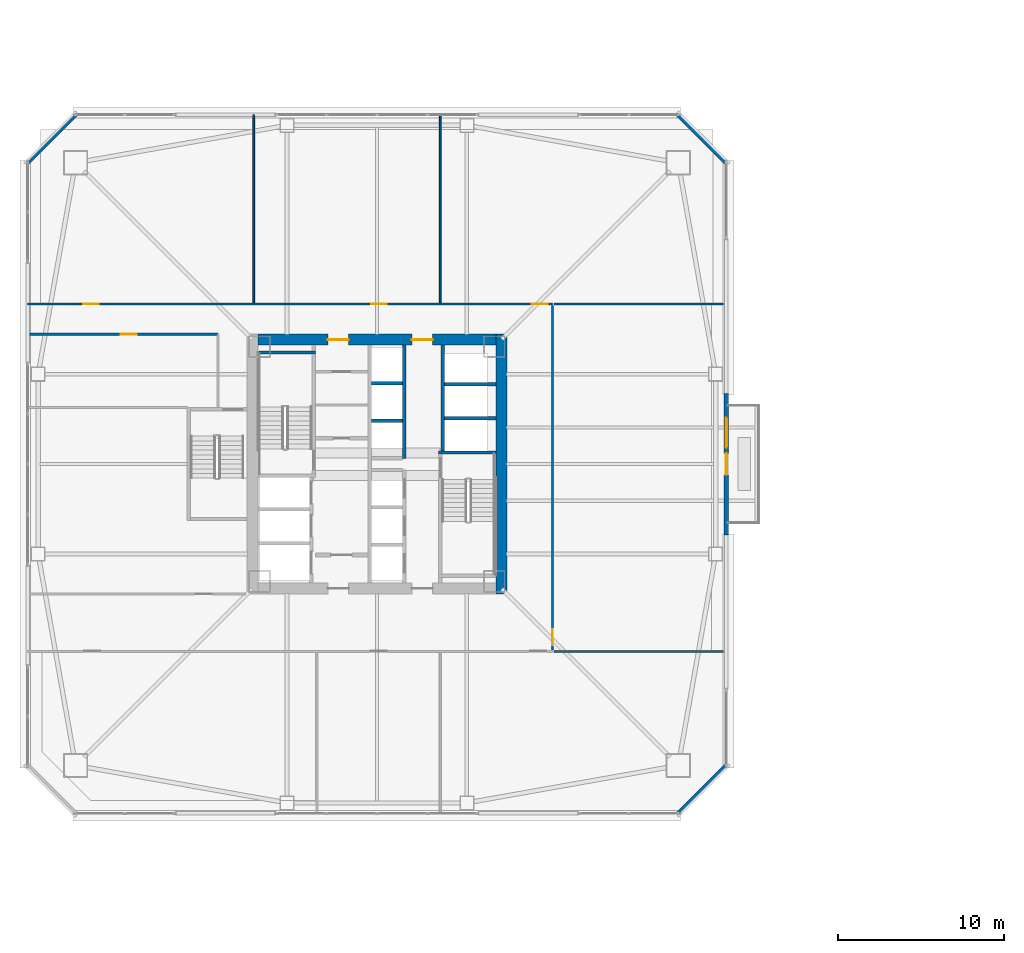
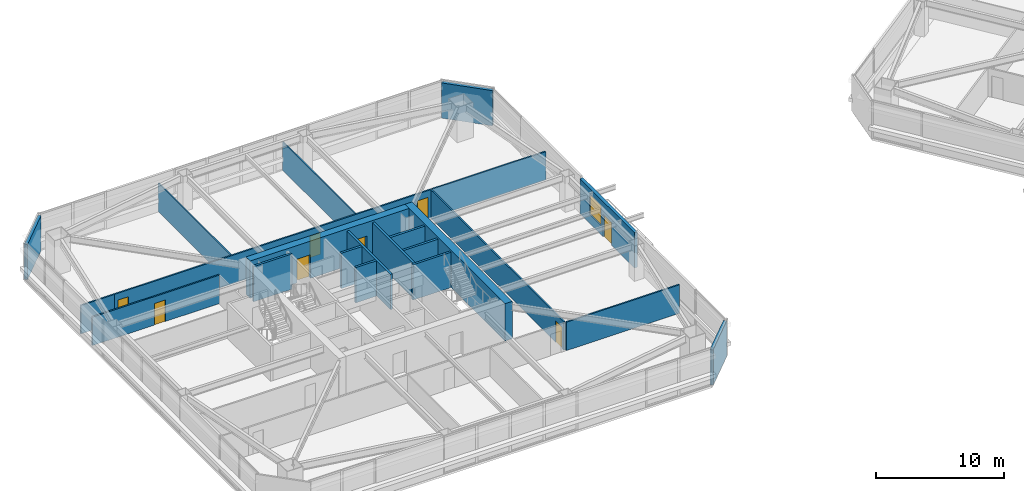
# One storey, part 34 of 44: 22 walls, 8 doors, 1 window, 9 openings.
"""IFC4 building model written with IfcOpenShell, lengths in metres."""

from ifc_helpers import new_model, si_unit, direction, frame, frame_2d, origin, place, context, subcontext, project, spatial, rectangle, extrude, material, layer, layer_set, type_object, element, fill, save


model = new_model("IFC4")

# Units and contexts
model_context = context("Model", 3, precision=1e-05, world=origin(), true_north=direction((0.0, 1.0)))
body_context = subcontext(model_context, "Body", "Model", "MODEL_VIEW")
ifc_project = project(units=[si_unit("LENGTHUNIT", "METRE"), si_unit("AREAUNIT", "SQUARE_METRE"), si_unit("VOLUMEUNIT", "CUBIC_METRE"), si_unit("PLANEANGLEUNIT", "RADIAN"), si_unit("MASSUNIT", "GRAM", prefix="KILO")], contexts=[model_context])

# Site, building, storey
site_placement = place(None, origin())
site = spatial("IfcSite", under=ifc_project, at=site_placement, CompositionType="ELEMENT")
building_placement = place(site_placement, origin())
building = spatial("IfcBuilding", under=site, at=building_placement, Name="Tashvorn Skyway Center", CompositionType="ELEMENT")
storey_placement = place(building_placement, frame((0.0, 0.0, 84.949951171875)))
storey = spatial("IfcBuildingStorey", under=building, at=storey_placement, Name="L22", CompositionType="ELEMENT", Elevation=84.949951171875)

# Wall
ifc_material_1 = material(Name="Concrete C60/75", Category="concrete")
ifc_layer_1 = layer(ifc_material_1, 0.64990234375)
ifc_layer_set_1 = layer_set([ifc_layer_1], Name="Concrete C60/75")
wall_type_1 = type_object("IfcWallType", Name="WALL-CORE-650", PredefinedType="SHEAR", material=ifc_layer_set_1)
wall_1_placement = place(storey_placement, frame((49.47509765625, 39.800048828125, 0.0), z_axis=(0.0, 0.0, 1.0), x_axis=(0.0, -1.0, 0.0)))
element("IfcWall", 1, at=wall_1_placement, inside=storey, type_object=wall_type_1, Name="Tower 1 L22 East Core Shear Wall", PredefinedType="SHEAR", context=body_context, shape_type="SweptSolid", body=[
    extrude(rectangle(XDim=15.60009765625, YDim=0.64990234375, at=frame_2d((7.800048828125, 0.0))), origin(), (0.0, 0.0, 1.0), 3.550048828125),
])

# Wall, openings, doors
wall_2_placement = place(storey_placement, frame((34.85009765625, 39.47509765625, 0.0), z_axis=(0.0, 0.0, 1.0), x_axis=(1.0, 0.0, 0.0)))
wall_2 = element("IfcWall", 2, at=wall_2_placement, inside=storey, type_object=wall_type_1, Name="Tower 1 L22 North Core Shear Wall", PredefinedType="SHEAR", context=body_context, shape_type="SweptSolid", body=[
    extrude(rectangle(XDim=14.2998046875, YDim=0.64990234375, at=frame_2d((7.14990234375, 0.0))), origin(), (0.0, 0.0, 1.0), 3.550048828125),
])
opening_1_placement = place(wall_2_placement, frame((4.199951171875, 0.0, 0.0)))
opening_1 = element("IfcOpeningElement", 3, at=opening_1_placement, cuts=wall_2, Name="Opening D-FFL-1250", PredefinedType="OPENING", context=body_context, shape_type="SweptSolid", body=[
    extrude(rectangle(XDim=1.25, YDim=2.25, at=frame_2d((0.625, 1.125))), frame((0.0, 0.3349609375, 0.0), z_axis=(0.0, -1.0, 0.0), x_axis=(1.0, 0.0, 0.0)), (0.0, 0.0, 1.0), 0.669921875),
])
opening_2_placement = place(wall_2_placement, frame((9.25, 0.0, 0.0)))
opening_2 = element("IfcOpeningElement", 4, at=opening_2_placement, cuts=wall_2, Name="Opening D-FFL-1250", PredefinedType="OPENING", context=body_context, shape_type="SweptSolid", body=[
    extrude(rectangle(XDim=1.25, YDim=2.25, at=frame_2d((0.625, 1.125))), frame((0.0, 0.3349609375, 0.0), z_axis=(0.0, -1.0, 0.0), x_axis=(1.0, 0.0, 0.0)), (0.0, 0.0, 1.0), 0.669921875),
])
ifc_material_2 = material(Name="Hollow galvanized steel fire door assembly", Category="steel")
door_type_1 = type_object("IfcDoorType", Name="DOOR-FFL-1250", OperationType="NOTDEFINED", PredefinedType="DOOR", material=ifc_material_2)
door_1_placement = place(opening_1_placement, origin())
door_1 = element("IfcDoor", 5, at=door_1_placement, inside=storey, type_object=door_type_1, Name="Tower 1 L22 Core North Service Lobby Door", OperationType="SINGLE_SWING_LEFT", OverallHeight=2.25, OverallWidth=1.25, PredefinedType="DOOR", context=body_context, shape_type="SweptSolid", body=[
    extrude(rectangle(XDim=1.25, YDim=2.25, at=frame_2d((0.625, 1.125))), frame((0.0, 0.02490234375, 0.0), z_axis=(0.0, -1.0, 0.0), x_axis=(1.0, 0.0, 0.0)), (0.0, 0.0, 1.0), 0.050048828125),
])
fill(opening_1, door_1)
door_2_placement = place(opening_2_placement, origin())
door_2 = element("IfcDoor", 6, at=door_2_placement, inside=storey, type_object=door_type_1, Name="Tower 1 L22 Core North Lift Lobby Door", OperationType="SINGLE_SWING_RIGHT", OverallHeight=2.25, OverallWidth=1.25, PredefinedType="DOOR", context=body_context, shape_type="SweptSolid", body=[
    extrude(rectangle(XDim=1.25, YDim=2.25, at=frame_2d((0.625, 1.125))), frame((0.0, 0.02490234375, 0.0), z_axis=(0.0, -1.0, 0.0), x_axis=(1.0, 0.0, 0.0)), (0.0, 0.0, 1.0), 0.050048828125),
])
fill(opening_2, door_2)

# Wall, openings, door, window
ifc_material_3 = material(Name="Precast concrete C40/50", Category="concrete")
ifc_layer_2 = layer(ifc_material_3, 0.280029296875)
ifc_layer_set_2 = layer_set([ifc_layer_2], Name="Precast concrete C40/50")
wall_type_2 = type_object("IfcWallType", Name="WALL-EXT-280", PredefinedType="SOLIDWALL", material=ifc_layer_set_2)
wall_3_placement = place(storey_placement, frame((62.97998046875, 36.25, 0.0), z_axis=(0.0, 0.0, 1.0), x_axis=(0.0, -1.0, 0.0)))
wall_3 = element("IfcWall", 7, at=wall_3_placement, inside=storey, type_object=wall_type_2, Name="Tower 1 L22 East Terrace Portal Wall", PredefinedType="SOLIDWALL", context=body_context, shape_type="SweptSolid", body=[
    extrude(rectangle(XDim=8.5, YDim=0.280029296875, at=frame_2d((4.25, 0.0))), origin(), (0.0, 0.0, 1.0), 3.35009765625),
])
opening_3_placement = place(wall_3_placement, frame((3.60009765625, 0.0, 0.0)))
opening_3 = element("IfcOpeningElement", 8, at=opening_3_placement, cuts=wall_3, Name="Opening D-TER-1300", PredefinedType="OPENING", context=body_context, shape_type="SweptSolid", body=[
    extrude(rectangle(XDim=1.300048828125, YDim=2.14990234375, at=frame_2d((0.64990234375, 1.074951171875))), frame((0.0, 0.14990234375, 0.0), z_axis=(0.0, -1.0, 0.0), x_axis=(1.0, 0.0, 0.0)), (0.0, 0.0, 1.0), 0.300048828125),
])
opening_4_placement = place(wall_3_placement, frame((1.4599609375, 0.0, 0.85009765625)))
opening_4 = element("IfcOpeningElement", 9, at=opening_4_placement, cuts=wall_3, Name="Opening WIN-1800", PredefinedType="OPENING", context=body_context, shape_type="SweptSolid", body=[
    extrude(rectangle(XDim=1.800048828125, YDim=1.919921875, at=frame_2d((0.89990234375, 0.9599609375))), frame((0.0, 0.14990234375, 0.0), z_axis=(0.0, -1.0, 0.0), x_axis=(1.0, 0.0, 0.0)), (0.0, 0.0, 1.0), 0.300048828125),
])
ifc_material_4 = material(Name="Thermally broken bronze-anodized aluminium 6063-T6", Category="aluminium")
door_type_2 = type_object("IfcDoorType", Name="DOOR-TERR-1300", OperationType="NOTDEFINED", PredefinedType="DOOR", material=ifc_material_4)
door_3_placement = place(opening_3_placement, origin())
door_3 = element("IfcDoor", 10, at=door_3_placement, inside=storey, type_object=door_type_2, Name="Tower 1 L22 Terrace Access Door", OperationType="SINGLE_SWING_RIGHT", OverallHeight=2.14990234375, OverallWidth=1.300048828125, PredefinedType="DOOR", context=body_context, shape_type="SweptSolid", body=[
    extrude(rectangle(XDim=1.300048828125, YDim=2.14990234375, at=frame_2d((0.64990234375, 1.074951171875))), frame((0.0, 0.02490234375, 0.0), z_axis=(0.0, -1.0, 0.0), x_axis=(1.0, 0.0, 0.0)), (0.0, 0.0, 1.0), 0.050048828125),
])
fill(opening_3, door_3)
ifc_material_5 = material(Name="Low-E solar-control double insulating safety glass", Category="glass")
window_type = type_object("IfcWindowType", Name="WIN-TERR-1800", PartitioningType="SINGLE_PANEL", PredefinedType="WINDOW", material=ifc_material_5)
window_placement = place(opening_4_placement, origin())
window = element("IfcWindow", 11, at=window_placement, inside=storey, type_object=window_type, Name="Tower 1 L22 Terrace Window", OverallHeight=1.919921875, OverallWidth=1.800048828125, PartitioningType="SINGLE_PANEL", PredefinedType="WINDOW", context=body_context, shape_type="SweptSolid", body=[
    extrude(rectangle(XDim=1.800048828125, YDim=1.919921875, at=frame_2d((0.89990234375, 0.9599609375))), frame((0.0, 0.030029296875, 0.0), z_axis=(0.0, -1.0, 0.0), x_axis=(1.0, 0.0, 0.0)), (0.0, 0.0, 1.0), 0.06005859375),
])
fill(opening_4, window)

# Walls
for number, where, z_axis, x_axis, name in (
    (12, (21.0, 50.10009765625, 0.0), (0.0, 0.0, 1.0), (0.707106781187, 0.707106781187, 0.0), "Tower 1 L22 NW Precast Chamfer Wall"),
    (13, (60.10009765625, 53.0, 0.0), (0.0, 0.0, 1.0), (0.707106781187, -0.707106781187, 0.0), "Tower 1 L22 NE Precast Chamfer Wall"),
    (14, (63.0, 13.89990234375, 0.0), (0.0, 0.0, 1.0), (-0.707106781187, -0.707106781187, 0.0), "Tower 1 L22 SE Precast Chamfer Wall"),
):
    element("IfcWall", number, at=place(storey_placement, frame(where, z_axis=z_axis, x_axis=x_axis)), inside=storey, type_object=wall_type_2, Name=name, PredefinedType="SOLIDWALL", context=body_context, shape_type="SweptSolid", body=[
        extrude(rectangle(XDim=4.10107421875, YDim=0.280029296875, at=frame_2d((2.050537109375, 0.0))), origin(), (0.0, 0.0, 1.0), 3.35009765625),
    ])
ifc_material_6 = material(Name="Gypsum board on cold-formed steel stud framing", Category="steel")
ifc_layer_3 = layer(ifc_material_6, 0.110107421875)
ifc_layer_set_3 = layer_set([ifc_layer_3], Name="Gypsum board on cold-formed steel stud framing")
wall_type_3 = type_object("IfcWallType", Name="WALL-PART-110", PredefinedType="PARTITIONING", material=ifc_layer_set_3)
for number, where, z_axis, x_axis, name in (
    (15, (34.60009765625, 41.699951171875, 0.0), (0.0, 0.0, 1.0), (0.0, 1.0, 0.0), "Tower 1 L22 North Suite Partition 1"),
    (16, (45.800048828125, 41.699951171875, 0.0), (0.0, 0.0, 1.0), (0.0, 1.0, 0.0), "Tower 1 L22 North Suite Partition 2"),
):
    element("IfcWall", number, at=place(storey_placement, frame(where, z_axis=z_axis, x_axis=x_axis)), inside=storey, type_object=wall_type_3, Name=name, PredefinedType="PARTITIONING", context=body_context, shape_type="SweptSolid", body=[
        extrude(rectangle(XDim=11.280029296875, YDim=0.110107421875, at=frame_2d((5.64013671875, 0.0))), origin(), (0.0, 0.0, 1.0), 2.703125),
    ])

# Wall, openings, doors
ifc_layer_4 = layer(ifc_material_6, 0.135009765625)
ifc_layer_set_4 = layer_set([ifc_layer_4], Name="Gypsum board on cold-formed steel stud framing")
wall_type_4 = type_object("IfcWallType", Name="WALL-PART-135", PredefinedType="PARTITIONING", material=ifc_layer_set_4)
wall_4_placement = place(storey_placement, frame((24.050048828125, 41.6201171875, 0.0), z_axis=(0.0, 0.0, 1.0), x_axis=(1.0, 0.0, 0.0)))
wall_4 = element("IfcWall", 17, at=wall_4_placement, inside=storey, type_object=wall_type_4, Name="Tower 1 L22 North Suite Wall", PredefinedType="PARTITIONING", context=body_context, shape_type="SweptSolid", body=[
    extrude(rectangle(XDim=28.5, YDim=0.135009765625, at=frame_2d((14.25, 0.0))), origin(), (0.0, 0.0, 1.0), 2.703125),
])
opening_5_placement = place(wall_4_placement, frame((0.300048828125, 0.0, 0.0)))
opening_5 = element("IfcOpeningElement", 18, at=opening_5_placement, cuts=wall_4, Name="Opening D-INT-950", PredefinedType="OPENING", context=body_context, shape_type="SweptSolid", body=[
    extrude(rectangle(XDim=0.949951171875, YDim=2.050048828125, at=frame_2d((0.47509765625, 1.02490234375))), frame((0.0, 0.077392578125, 0.0), z_axis=(0.0, -1.0, 0.0), x_axis=(1.0, 0.0, 0.0)), (0.0, 0.0, 1.0), 0.155029296875),
])
opening_6_placement = place(wall_4_placement, frame((17.5986328125, 0.0, 0.0)))
opening_6 = element("IfcOpeningElement", 19, at=opening_6_placement, cuts=wall_4, Name="Opening D-INT-950", PredefinedType="OPENING", context=body_context, shape_type="SweptSolid", body=[
    extrude(rectangle(XDim=0.949951171875, YDim=2.050048828125, at=frame_2d((0.47509765625, 1.02490234375))), frame((0.0, 0.077392578125, 0.0), z_axis=(0.0, -1.0, 0.0), x_axis=(1.0, 0.0, 0.0)), (0.0, 0.0, 1.0), 0.155029296875),
])
opening_7_placement = place(wall_4_placement, frame((27.25, 0.0, 0.0)))
opening_7 = element("IfcOpeningElement", 20, at=opening_7_placement, cuts=wall_4, Name="Opening D-INT-950", PredefinedType="OPENING", context=body_context, shape_type="SweptSolid", body=[
    extrude(rectangle(XDim=0.949951171875, YDim=2.050048828125, at=frame_2d((0.47509765625, 1.02490234375))), frame((0.0, 0.077392578125, 0.0), z_axis=(0.0, -1.0, 0.0), x_axis=(1.0, 0.0, 0.0)), (0.0, 0.0, 1.0), 0.155029296875),
])
ifc_material_7 = material(Name="Solid-core architectural oak veneer door")
door_type_3 = type_object("IfcDoorType", Name="DOOR-INT-950", OperationType="NOTDEFINED", PredefinedType="DOOR", material=ifc_material_7)
door_4_placement = place(opening_5_placement, origin())
door_4 = element("IfcDoor", 21, at=door_4_placement, inside=storey, type_object=door_type_3, Name="Tower 1 L22 Open Plan Office Door", OperationType="SINGLE_SWING_LEFT", OverallHeight=2.050048828125, OverallWidth=0.949951171875, PredefinedType="DOOR", context=body_context, shape_type="SweptSolid", body=[
    extrude(rectangle(XDim=0.949951171875, YDim=2.050048828125, at=frame_2d((0.47509765625, 1.02490234375))), frame((0.0, 0.02490234375, 0.0), z_axis=(0.0, -1.0, 0.0), x_axis=(1.0, 0.0, 0.0)), (0.0, 0.0, 1.0), 0.050048828125),
])
fill(opening_5, door_4)
door_5_placement = place(opening_6_placement, origin())
door_5 = element("IfcDoor", 22, at=door_5_placement, inside=storey, type_object=door_type_3, Name="Tower 1 L22 Open Plan Office Door", OperationType="SINGLE_SWING_RIGHT", OverallHeight=2.050048828125, OverallWidth=0.949951171875, PredefinedType="DOOR", context=body_context, shape_type="SweptSolid", body=[
    extrude(rectangle(XDim=0.949951171875, YDim=2.050048828125, at=frame_2d((0.47509765625, 1.02490234375))), frame((0.0, 0.02490234375, 0.0), z_axis=(0.0, -1.0, 0.0), x_axis=(1.0, 0.0, 0.0)), (0.0, 0.0, 1.0), 0.050048828125),
])
fill(opening_6, door_5)
door_6_placement = place(opening_7_placement, origin())
door_6 = element("IfcDoor", 23, at=door_6_placement, inside=storey, type_object=door_type_3, Name="Tower 1 L22 Design Studio Door", OperationType="SINGLE_SWING_LEFT", OverallHeight=2.050048828125, OverallWidth=0.949951171875, PredefinedType="DOOR", context=body_context, shape_type="SweptSolid", body=[
    extrude(rectangle(XDim=0.949951171875, YDim=2.050048828125, at=frame_2d((0.47509765625, 1.02490234375))), frame((0.0, 0.02490234375, 0.0), z_axis=(0.0, -1.0, 0.0), x_axis=(1.0, 0.0, 0.0)), (0.0, 0.0, 1.0), 0.050048828125),
])
fill(opening_7, door_6)

# Wall
wall_5_placement = place(storey_placement, frame((21.02001953125, 41.6201171875, 0.0), z_axis=(0.0, 0.0, 1.0), x_axis=(1.0, 0.0, 0.0)))
element("IfcWall", 24, at=wall_5_placement, inside=storey, type_object=wall_type_4, Name="Tower 1 L22 North-West Suite South Wall", PredefinedType="PARTITIONING", context=body_context, shape_type="SweptSolid", body=[
    extrude(rectangle(XDim=3.030029296875, YDim=0.135009765625, at=frame_2d((1.51513671875, 0.0))), origin(), (0.0, 0.0, 1.0), 2.703125),
])

# Wall, opening, door
wall_6_placement = place(storey_placement, frame((52.550048828125, 41.5400390625, 0.0), z_axis=(0.0, 0.0, 1.0), x_axis=(0.0, -1.0, 0.0)))
wall_6 = element("IfcWall", 25, at=wall_6_placement, inside=storey, type_object=wall_type_4, Name="Tower 1 L22 East Inner Suite Wall", PredefinedType="PARTITIONING", context=body_context, shape_type="SweptSolid", body=[
    extrude(rectangle(XDim=20.7099609375, YDim=0.135009765625, at=frame_2d((10.35498046875, 0.0))), origin(), (0.0, 0.0, 1.0), 2.703125),
])
opening_8_placement = place(wall_6_placement, frame((19.4599609375, 0.0, 0.0)))
opening_8 = element("IfcOpeningElement", 26, at=opening_8_placement, cuts=wall_6, Name="Opening D-INT-950", PredefinedType="OPENING", context=body_context, shape_type="SweptSolid", body=[
    extrude(rectangle(XDim=0.949951171875, YDim=2.050048828125, at=frame_2d((0.47509765625, 1.02490234375))), frame((0.0, 0.077392578125, 0.0), z_axis=(0.0, -1.0, 0.0), x_axis=(1.0, 0.0, 0.0)), (0.0, 0.0, 1.0), 0.155029296875),
])
door_7_placement = place(opening_8_placement, origin())
door_7 = element("IfcDoor", 27, at=door_7_placement, inside=storey, type_object=door_type_3, Name="Tower 1 L22 Executive Study Lounge Door", OperationType="SINGLE_SWING_LEFT", OverallHeight=2.050048828125, OverallWidth=0.949951171875, PredefinedType="DOOR", context=body_context, shape_type="SweptSolid", body=[
    extrude(rectangle(XDim=0.949951171875, YDim=2.050048828125, at=frame_2d((0.47509765625, 1.02490234375))), frame((0.0, 0.02490234375, 0.0), z_axis=(0.0, -1.0, 0.0), x_axis=(1.0, 0.0, 0.0)), (0.0, 0.0, 1.0), 0.050048828125),
])
fill(opening_8, door_7)

# Walls
for number, where, z_axis, x_axis, name in (
    (28, (62.830078125, 41.6201171875, 0.0), (0.0, 0.0, 1.0), (-1.0, 0.0, 0.0), "Tower 1 L22 East Suite North Wall"),
    (29, (52.6298828125, 20.75, 0.0), (0.0, 0.0, 1.0), (1.0, 0.0, 0.0), "Tower 1 L22 East Suite South Wall"),
):
    element("IfcWall", number, at=place(storey_placement, frame(where, z_axis=z_axis, x_axis=x_axis)), inside=storey, type_object=wall_type_4, Name=name, PredefinedType="PARTITIONING", context=body_context, shape_type="SweptSolid", body=[
        extrude(rectangle(XDim=10.2001953125, YDim=0.135009765625, at=frame_2d((5.10009765625, 0.0))), origin(), (0.0, 0.0, 1.0), 2.703125),
    ])

# Wall, opening, door
wall_7_placement = place(storey_placement, frame((32.449951171875, 39.800048828125, 0.0), z_axis=(0.0, 0.0, 1.0), x_axis=(-1.0, 0.0, 0.0)))
wall_7 = element("IfcWall", 30, at=wall_7_placement, inside=storey, type_object=wall_type_4, Name="Tower 1 L22 West Suite North Wall", PredefinedType="PARTITIONING", context=body_context, shape_type="SweptSolid", body=[
    extrude(rectangle(XDim=11.429931640625, YDim=0.135009765625, at=frame_2d((5.71484375, 0.0))), origin(), (0.0, 0.0, 1.0), 2.703125),
])
opening_9_placement = place(wall_7_placement, frame((4.889892578125, 0.0, 0.0)))
opening_9 = element("IfcOpeningElement", 31, at=opening_9_placement, cuts=wall_7, Name="Opening D-INT-950", PredefinedType="OPENING", context=body_context, shape_type="SweptSolid", body=[
    extrude(rectangle(XDim=0.949951171875, YDim=2.050048828125, at=frame_2d((0.47509765625, 1.02490234375))), frame((0.0, 0.077392578125, 0.0), z_axis=(0.0, -1.0, 0.0), x_axis=(1.0, 0.0, 0.0)), (0.0, 0.0, 1.0), 0.155029296875),
])
door_8_placement = place(opening_9_placement, origin())
door_8 = element("IfcDoor", 32, at=door_8_placement, inside=storey, type_object=door_type_3, Name="Tower 1 L22 Staff Fitness Club Door", OperationType="SINGLE_SWING_RIGHT", OverallHeight=2.050048828125, OverallWidth=0.949951171875, PredefinedType="DOOR", context=body_context, shape_type="SweptSolid", body=[
    extrude(rectangle(XDim=0.949951171875, YDim=2.050048828125, at=frame_2d((0.47509765625, 1.02490234375))), frame((0.0, 0.02490234375, 0.0), z_axis=(0.0, -1.0, 0.0), x_axis=(1.0, 0.0, 0.0)), (0.0, 0.0, 1.0), 0.050048828125),
])
fill(opening_9, door_8)

# Walls
ifc_material_8 = material(Name="Concrete C40/50", Category="concrete")
ifc_layer_5 = layer(ifc_material_8, 0.199951171875)
ifc_layer_set_5 = layer_set([ifc_layer_5], Name="Concrete C40/50")
wall_type_5 = type_object("IfcWallType", Name="WALL-SHAFT-200", PredefinedType="SOLIDWALL", material=ifc_layer_set_5)
for number, where, z_axis, x_axis, name in (
    (33, (46.050048828125, 34.75, 0.0), (0.0, 0.0, 1.0), (1.0, 0.0, 0.0), "Tower 1 L22 High-Rise Shaft Divider"),
    (34, (46.050048828125, 36.800048828125, 0.0), (0.0, 0.0, 1.0), (1.0, 0.0, 0.0), "Tower 1 L22 High-Rise Shaft Divider"),
):
    element("IfcWall", number, at=place(storey_placement, frame(where, z_axis=z_axis, x_axis=x_axis)), inside=storey, type_object=wall_type_5, Name=name, PredefinedType="SOLIDWALL", context=body_context, shape_type="SweptSolid", body=[
        extrude(rectangle(XDim=3.099853515625, YDim=0.199951171875, at=frame_2d((1.5498046875, 0.0))), origin(), (0.0, 0.0, 1.0), 3.35009765625),
    ])
wall_8_placement = place(storey_placement, frame((43.64990234375, 32.35009765625, 0.0), z_axis=(0.0, 0.0, 1.0), x_axis=(0.0, 1.0, 0.0)))
element("IfcWall", 35, at=wall_8_placement, inside=storey, type_object=wall_type_5, Name="Tower 1 L22 Mid-Rise Core Wall", PredefinedType="SOLIDWALL", context=body_context, shape_type="SweptSolid", body=[
    extrude(rectangle(XDim=6.7998046875, YDim=0.199951171875, at=frame_2d((3.39990234375, 0.0))), origin(), (0.0, 0.0, 1.0), 3.35009765625),
])
for number, where, z_axis, x_axis, name in (
    (36, (41.669921875, 34.60009765625, 0.0), (0.0, 0.0, 1.0), (1.0, 0.0, 0.0), "Tower 1 L22 Mid-Rise Shaft Divider"),
    (37, (41.669921875, 36.85009765625, 0.0), (0.0, 0.0, 1.0), (1.0, 0.0, 0.0), "Tower 1 L22 Mid-Rise Shaft Divider"),
):
    element("IfcWall", number, at=place(storey_placement, frame(where, z_axis=z_axis, x_axis=x_axis)), inside=storey, type_object=wall_type_5, Name=name, PredefinedType="SOLIDWALL", context=body_context, shape_type="SweptSolid", body=[
        extrude(rectangle(XDim=1.880126953125, YDim=0.199951171875, at=frame_2d((0.93994140625, 0.0))), origin(), (0.0, 0.0, 1.0), 3.35009765625),
    ])
ifc_layer_6 = layer(ifc_material_8, 0.199951171875)
ifc_layer_set_6 = layer_set([ifc_layer_6], Name="Concrete C40/50")
wall_type_6 = type_object("IfcWallType", Name="WALL-STSHF-200", PredefinedType="SHEAR", material=ifc_layer_set_6)
for number, where, z_axis, x_axis, name in (
    (38, (34.85009765625, 38.699951171875, 0.0), (0.0, 0.0, 1.0), (1.0, 0.0, 0.0), "Tower 1 L22 Stair 1 North Wall"),
    (39, (45.699951171875, 32.699951171875, 0.0), (0.0, 0.0, 1.0), (1.0, 0.0, 0.0), "Tower 1 L22 Stair 2 North Wall"),
):
    element("IfcWall", number, at=place(storey_placement, frame(where, z_axis=z_axis, x_axis=x_axis)), inside=storey, type_object=wall_type_6, Name=name, PredefinedType="SHEAR", context=body_context, shape_type="SweptSolid", body=[
        extrude(rectangle(XDim=3.449951171875, YDim=0.199951171875, at=frame_2d((1.72509765625, 0.0))), origin(), (0.0, 0.0, 1.0), 3.35009765625),
    ])
wall_9_placement = place(storey_placement, frame((45.949951171875, 39.14990234375, 0.0), z_axis=(0.0, 0.0, 1.0), x_axis=(0.0, -1.0, 0.0)))
element("IfcWall", 40, at=wall_9_placement, inside=storey, type_object=wall_type_6, Name="Tower 1 L22 High-Rise Lift Shaft Front Wall", PredefinedType="SHEAR", context=body_context, shape_type="SweptSolid", body=[
    extrude(rectangle(XDim=6.349853515625, YDim=0.199951171875, at=frame_2d((3.1748046875, 0.0))), origin(), (0.0, 0.0, 1.0), 3.35009765625),
])

save(model, "model.ifc")
